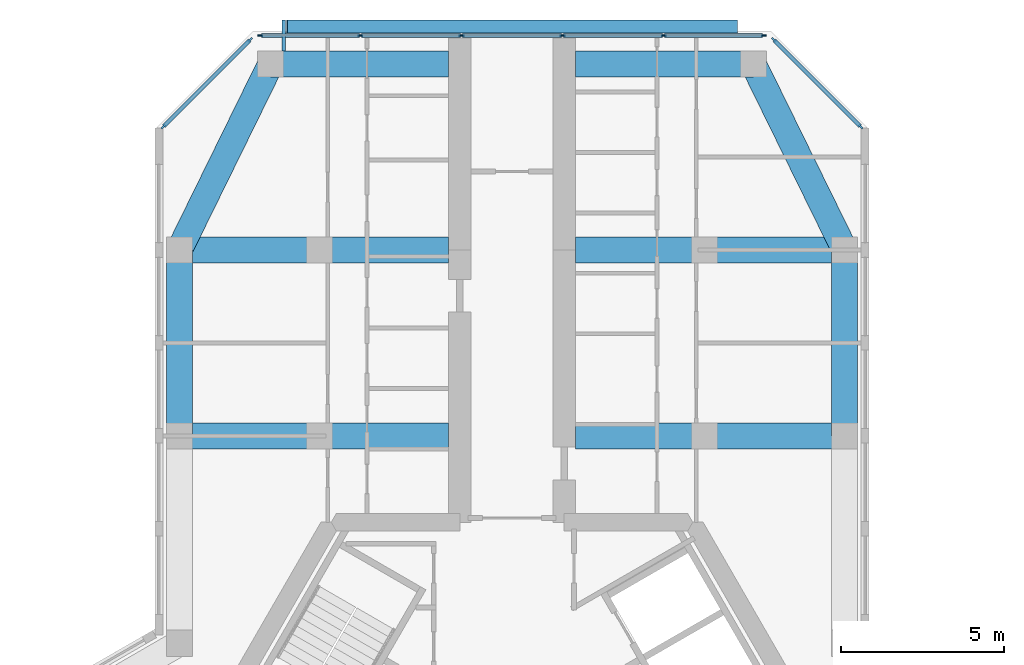
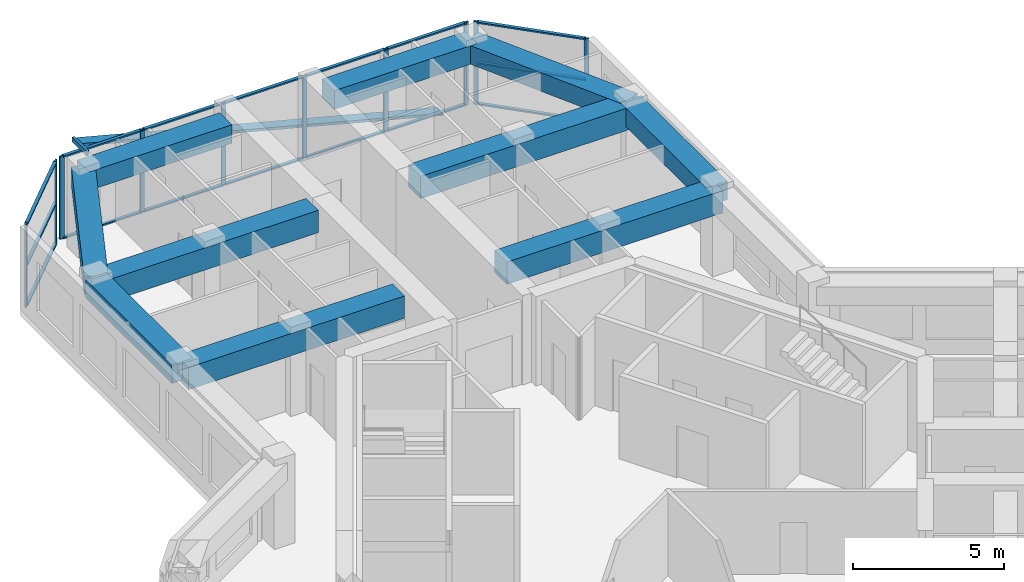
# One storey, part 5 of 14: 28 members, 10 beams, 3 elements without a shape of their own.
"""IFC4 building model written with IfcOpenShell, lengths in metres."""

from ifc_helpers import new_model, si_unit, direction, frame, origin, origin_2d, place, context, subcontext, project, spatial, rectangle, hollow_rectangle, extrude, material, material_profile, profile_set, type_object, element, aggregate, save


model = new_model("IFC4")

# Units and contexts
model_context = context("Model", 3, precision=1e-05, world=origin(), true_north=direction((0.0, 1.0)))
body_context = subcontext(model_context, "Body", "Model", "MODEL_VIEW")
ifc_project = project(units=[si_unit("LENGTHUNIT", "METRE"), si_unit("AREAUNIT", "SQUARE_METRE"), si_unit("VOLUMEUNIT", "CUBIC_METRE"), si_unit("PLANEANGLEUNIT", "RADIAN"), si_unit("MASSUNIT", "GRAM", prefix="KILO")], contexts=[model_context])

# Site, building, storey
site_placement = place(None, origin())
site = spatial("IfcSite", under=ifc_project, at=site_placement, CompositionType="ELEMENT")
building_placement = place(site_placement, origin())
building = spatial("IfcBuilding", under=site, at=building_placement, Name="Kosmar Iwan School Tower", CompositionType="ELEMENT")
storey_placement = place(building_placement, frame((0.0, 0.0, 278.199951171875)))
storey = spatial("IfcBuildingStorey", under=building, at=storey_placement, Name="L70", CompositionType="ELEMENT", Elevation=278.199951171875)

# Members
ifc_material_1 = material(Name="Black anodised aluminium", Category="aluminium")
ifc_material_profile_1 = material_profile(ifc_material_1, rectangle(XDim=0.10009765625, YDim=0.39990234375, at=origin_2d()), Name="FIN 100x400")
ifc_profile_set_1 = profile_set([ifc_material_profile_1], Name="Black anodised aluminium")
member_type_1 = type_object("IfcMemberType", Name="Diagonal fin 100x400", PredefinedType="USERDEFINED", material=ifc_profile_set_1)
member_1_placement = place(storey_placement, frame((6.898193359375, 24.800048828125, -0.14990234375), z_axis=(-0.967603633438, 0.0, 0.252474174041), x_axis=(0.252474174041, 0.0, 0.967603633438)))
element("IfcMember", 1, at=member_1_placement, inside=storey, type_object=member_type_1, Name="Diagonal fin L70-F08", ObjectType="FIN", PredefinedType="USERDEFINED", context=body_context, shape_type="SweptSolid", body=[
    extrude(rectangle(XDim=0.10009765625, YDim=0.39990234375, at=origin_2d()), origin(), (0.0, 0.0, 1.0), 14.25830078125),
])
ifc_material_2 = material(Name="Steel S355", Category="steel")
ifc_material_profile_2 = material_profile(ifc_material_2, hollow_rectangle(XDim=0.10009765625, YDim=0.199951171875, WallThickness=0.008056640625, at=origin_2d()), Name="RHS 200x100x8")
ifc_profile_set_2 = profile_set([ifc_material_profile_2], Name="Steel S355")
member_type_2 = type_object("IfcMemberType", Name="Fin bracket RHS 200x100", PredefinedType="USERDEFINED", material=ifc_profile_set_2)
member_2_placement = place(storey_placement, frame((-7.0, 24.050048828125, 3.47509765625), z_axis=(0.0, 1.0, 0.0), x_axis=(-1.0, 0.0, 0.0)))
element("IfcMember", 2, at=member_2_placement, inside=storey, type_object=member_type_2, Name="Fin bracket L71", ObjectType="FIN BRACKET", PredefinedType="USERDEFINED", context=body_context, shape_type="SweptSolid", body=[
    extrude(hollow_rectangle(XDim=0.10009765625, YDim=0.199951171875, WallThickness=0.008056640625, at=origin_2d()), origin(), (0.0, 0.0, 1.0), 0.949951171875),
])

# Curtain wall, members
ifc_material_3 = material(Name="Dark glass in black aluminium frame", Category="aluminium")
curtain_wall_type_1 = type_object("IfcCurtainWallType", Name="Chamfer curtain wall dark glass", PredefinedType="USERDEFINED", material=ifc_material_3)
curtain_wall_1_placement = place(storey_placement, origin())
curtain_wall_1 = element("IfcCurtainWall", 3, at=curtain_wall_1_placement, inside=storey, type_object=curtain_wall_type_1, Name="Curtain wall L70-F07", ObjectType="FACETED CURTAIN WALL", PredefinedType="USERDEFINED")
ifc_material_4 = material(Name="Black anodised aluminium", Category="aluminium")
ifc_material_profile_3 = material_profile(ifc_material_4, rectangle(XDim=0.06005859375, YDim=0.159912109375, at=origin_2d()), Name="MULLION 60x160")
ifc_profile_set_3 = profile_set([ifc_material_profile_3], Name="Black anodised aluminium")
member_type_3 = type_object("IfcMemberType", Name="Mullion 60x160", PredefinedType="MULLION", material=ifc_profile_set_3)
member_3_placement = place(storey_placement, frame((10.69775390625, 21.7255859375, 0.0), z_axis=(0.0, 0.0, 1.0), x_axis=(-0.707106781187, -0.707106781187, 0.0)))
member_3 = element("IfcMember", 4, at=member_3_placement, type_object=member_type_3, Name="CW2 mullion 1", PredefinedType="MULLION", context=body_context, shape_type="SweptSolid", body=[
    extrude(rectangle(XDim=0.06005859375, YDim=0.159912109375, at=origin_2d()), origin(), (0.0, 0.0, 1.0), 3.35009765625),
])
member_4_placement = place(storey_placement, frame((8.025390625, 24.397705078125, 0.0), z_axis=(0.0, 0.0, 1.0), x_axis=(-0.707106781187, -0.707106781187, 0.0)))
member_4 = element("IfcMember", 5, at=member_4_placement, type_object=member_type_3, Name="CW2 mullion 2", PredefinedType="MULLION", context=body_context, shape_type="SweptSolid", body=[
    extrude(rectangle(XDim=0.06005859375, YDim=0.159912109375, at=origin_2d()), origin(), (0.0, 0.0, 1.0), 3.35009765625),
])

ifc_material_5 = material(Name="Dark glass in black aluminium frame", Category="aluminium")
curtain_wall_type_2 = type_object("IfcCurtainWallType", Name="Tower curtain wall dark glass", PredefinedType="USERDEFINED", material=ifc_material_5)
curtain_wall_2_placement = place(storey_placement, origin())
curtain_wall_2 = element("IfcCurtainWall", 6, at=curtain_wall_2_placement, inside=storey, type_object=curtain_wall_type_2, Name="Curtain wall L70-F08", ObjectType="UNITISED CURTAIN WALL", PredefinedType="USERDEFINED")
member_5_placement = place(storey_placement, frame((7.71826171875, 24.52490234375, 0.0), z_axis=(0.0, 0.0, 1.0), x_axis=(0.0, -1.0, 0.0)))
member_5 = element("IfcMember", 7, at=member_5_placement, type_object=member_type_3, Name="CW1 mullion 1", PredefinedType="MULLION", context=body_context, shape_type="SweptSolid", body=[
    extrude(rectangle(XDim=0.06005859375, YDim=0.159912109375, at=origin_2d()), origin(), (0.0, 0.0, 1.0), 3.35009765625),
])
member_6_placement = place(storey_placement, frame((4.64892578125, 24.52490234375, 0.0), z_axis=(0.0, 0.0, 1.0), x_axis=(0.0, -1.0, 0.0)))
member_6 = element("IfcMember", 8, at=member_6_placement, type_object=member_type_3, Name="CW1 mullion 2", PredefinedType="MULLION", context=body_context, shape_type="SweptSolid", body=[
    extrude(rectangle(XDim=0.06005859375, YDim=0.159912109375, at=origin_2d()), origin(), (0.0, 0.0, 1.0), 3.35009765625),
])
member_7_placement = place(storey_placement, frame((1.549560546875, 24.52490234375, 0.0), z_axis=(0.0, 0.0, 1.0), x_axis=(0.0, -1.0, 0.0)))
member_7 = element("IfcMember", 9, at=member_7_placement, type_object=member_type_3, Name="CW1 mullion 3", PredefinedType="MULLION", context=body_context, shape_type="SweptSolid", body=[
    extrude(rectangle(XDim=0.06005859375, YDim=0.159912109375, at=origin_2d()), origin(), (0.0, 0.0, 1.0), 3.35009765625),
])
member_8_placement = place(storey_placement, frame((-1.549560546875, 24.52490234375, 0.0), z_axis=(0.0, 0.0, 1.0), x_axis=(0.0, -1.0, 0.0)))
member_8 = element("IfcMember", 10, at=member_8_placement, type_object=member_type_3, Name="CW1 mullion 4", PredefinedType="MULLION", context=body_context, shape_type="SweptSolid", body=[
    extrude(rectangle(XDim=0.06005859375, YDim=0.159912109375, at=origin_2d()), origin(), (0.0, 0.0, 1.0), 3.35009765625),
])
member_9_placement = place(storey_placement, frame((-4.64892578125, 24.52490234375, 0.0), z_axis=(0.0, 0.0, 1.0), x_axis=(0.0, -1.0, 0.0)))
member_9 = element("IfcMember", 11, at=member_9_placement, type_object=member_type_3, Name="CW1 mullion 5", PredefinedType="MULLION", context=body_context, shape_type="SweptSolid", body=[
    extrude(rectangle(XDim=0.06005859375, YDim=0.159912109375, at=origin_2d()), origin(), (0.0, 0.0, 1.0), 3.35009765625),
])
member_10_placement = place(storey_placement, frame((-7.71826171875, 24.52490234375, 0.0), z_axis=(0.0, 0.0, 1.0), x_axis=(0.0, -1.0, 0.0)))
member_10 = element("IfcMember", 12, at=member_10_placement, type_object=member_type_3, Name="CW1 mullion 6", PredefinedType="MULLION", context=body_context, shape_type="SweptSolid", body=[
    extrude(rectangle(XDim=0.06005859375, YDim=0.159912109375, at=origin_2d()), origin(), (0.0, 0.0, 1.0), 3.35009765625),
])

curtain_wall_3_placement = place(storey_placement, origin())
curtain_wall_3 = element("IfcCurtainWall", 13, at=curtain_wall_3_placement, inside=storey, type_object=curtain_wall_type_1, Name="Curtain wall L70-F09", ObjectType="FACETED CURTAIN WALL", PredefinedType="USERDEFINED")
member_11_placement = place(storey_placement, frame((-8.025390625, 24.397705078125, 0.0), z_axis=(0.0, 0.0, 1.0), x_axis=(0.707106781187, -0.707106781187, 0.0)))
member_11 = element("IfcMember", 14, at=member_11_placement, type_object=member_type_3, Name="CW2 mullion 1", PredefinedType="MULLION", context=body_context, shape_type="SweptSolid", body=[
    extrude(rectangle(XDim=0.06005859375, YDim=0.159912109375, at=origin_2d()), origin(), (0.0, 0.0, 1.0), 3.35009765625),
])
member_12_placement = place(storey_placement, frame((-10.69775390625, 21.7255859375, 0.0), z_axis=(0.0, 0.0, 1.0), x_axis=(0.707106781187, -0.707106781187, 0.0)))
member_12 = element("IfcMember", 15, at=member_12_placement, type_object=member_type_3, Name="CW2 mullion 2", PredefinedType="MULLION", context=body_context, shape_type="SweptSolid", body=[
    extrude(rectangle(XDim=0.06005859375, YDim=0.159912109375, at=origin_2d()), origin(), (0.0, 0.0, 1.0), 3.35009765625),
])

# Beams
ifc_material_6 = material(Name="Concrete C50/60", Category="concrete")
ifc_material_profile_4 = material_profile(ifc_material_6, rectangle(XDim=0.800048828125, YDim=0.75, at=origin_2d()), Name="RC 800x750")
ifc_profile_set_4 = profile_set([ifc_material_profile_4], Name="Concrete C50/60")
beam_type_1 = type_object("IfcBeamType", Name="RC edge beam 800x750", PredefinedType="BEAM", material=ifc_profile_set_4)
for number, where, z_axis, x_axis, name in (
    (16, (-10.199951171875, 12.25, 2.97509765625), (0.0, 1.0, 0.0), (-1.0, 0.0, 0.0), "Edge beam AL2"),
    (17, (10.199951171875, 12.25, 2.97509765625), (0.0, 1.0, 0.0), (-1.0, 0.0, 0.0), "Edge beam AR2"),
):
    element("IfcBeam", number, at=place(storey_placement, frame(where, z_axis=z_axis, x_axis=x_axis)), inside=storey, type_object=beam_type_1, Name=name, PredefinedType="BEAM", context=body_context, shape_type="SweptSolid", body=[
        extrude(rectangle(XDim=0.800048828125, YDim=0.75, at=origin_2d()), origin(), (0.0, 0.0, 1.0), 5.699951171875),
    ])
ifc_material_7 = material(Name="Concrete C50/60", Category="concrete")
ifc_material_profile_5 = material_profile(ifc_material_7, rectangle(XDim=0.800048828125, YDim=0.75, at=origin_2d()), Name="RC 800x750")
ifc_profile_set_5 = profile_set([ifc_material_profile_5], Name="Concrete C50/60")
beam_type_2 = type_object("IfcBeamType", Name="RC tip beam 800x750", PredefinedType="BEAM", material=ifc_profile_set_5)
beam_1_placement = place(storey_placement, frame((-10.199951171875, 17.949951171875, 2.97509765625), z_axis=(0.440913116462, 0.897549788999, 0.0), x_axis=(-0.897549788999, 0.440913116462, 0.0)))
element("IfcBeam", 18, at=beam_1_placement, inside=storey, type_object=beam_type_2, Name="Tip beam AL", PredefinedType="BEAM", context=body_context, shape_type="SweptSolid", body=[
    extrude(rectangle(XDim=0.800048828125, YDim=0.75, at=origin_2d()), origin(), (0.0, 0.0, 1.0), 6.3505859375),
])
beam_2_placement = place(storey_placement, frame((-7.39990234375, 23.64990234375, 2.97509765625), z_axis=(1.0, 0.0, 0.0), x_axis=(0.0, 1.0, 0.0)))
element("IfcBeam", 19, at=beam_2_placement, inside=storey, type_object=beam_type_2, Name="Tip beam AL to corridor wall", PredefinedType="BEAM", context=body_context, shape_type="SweptSolid", body=[
    extrude(rectangle(XDim=0.800048828125, YDim=0.75, at=origin_2d()), origin(), (0.0, 0.0, 1.0), 5.449951171875),
])
beam_3_placement = place(storey_placement, frame((10.199951171875, 17.949951171875, 2.97509765625), z_axis=(-0.440913116462, 0.897549788999, 0.0), x_axis=(-0.897549788999, -0.440913116462, 0.0)))
element("IfcBeam", 20, at=beam_3_placement, inside=storey, type_object=beam_type_2, Name="Tip beam AR", PredefinedType="BEAM", context=body_context, shape_type="SweptSolid", body=[
    extrude(rectangle(XDim=0.800048828125, YDim=0.75, at=origin_2d()), origin(), (0.0, 0.0, 1.0), 6.3505859375),
])
beam_4_placement = place(storey_placement, frame((7.39990234375, 23.64990234375, 2.97509765625), z_axis=(-1.0, 0.0, 0.0), x_axis=(0.0, -1.0, 0.0)))
element("IfcBeam", 21, at=beam_4_placement, inside=storey, type_object=beam_type_2, Name="Tip beam AR to corridor wall", PredefinedType="BEAM", context=body_context, shape_type="SweptSolid", body=[
    extrude(rectangle(XDim=0.800048828125, YDim=0.75, at=origin_2d()), origin(), (0.0, 0.0, 1.0), 5.449951171875),
])
ifc_material_8 = material(Name="Concrete C50/60", Category="concrete")
ifc_material_profile_6 = material_profile(ifc_material_8, rectangle(XDim=0.800048828125, YDim=0.89990234375, at=origin_2d()), Name="RC 800x900")
ifc_profile_set_6 = profile_set([ifc_material_profile_6], Name="Concrete C50/60")
beam_type_3 = type_object("IfcBeamType", Name="RC transverse beam 800x900", PredefinedType="BEAM", material=ifc_profile_set_6)
for number, where, z_axis, x_axis, name in (
    (22, (-10.199951171875, 12.25, 2.900146484375), (1.0, 0.0, 0.0), (0.0, 1.0, 0.0), "Transverse beam AL1"),
    (23, (-10.199951171875, 17.949951171875, 2.900146484375), (1.0, 0.0, 0.0), (0.0, 1.0, 0.0), "Transverse beam AL2"),
    (24, (10.199951171875, 12.25, 2.900146484375), (-1.0, 0.0, 0.0), (0.0, -1.0, 0.0), "Transverse beam AR1"),
    (25, (10.199951171875, 17.949951171875, 2.900146484375), (-1.0, 0.0, 0.0), (0.0, -1.0, 0.0), "Transverse beam AR2"),
):
    element("IfcBeam", number, at=place(storey_placement, frame(where, z_axis=z_axis, x_axis=x_axis)), inside=storey, type_object=beam_type_3, Name=name, PredefinedType="BEAM", context=body_context, shape_type="SweptSolid", body=[
        extrude(rectangle(XDim=0.800048828125, YDim=0.89990234375, at=origin_2d()), origin(), (0.0, 0.0, 1.0), 8.25),
    ])

# Member
ifc_material_9 = material(Name="Black anodised aluminium", Category="aluminium")
ifc_material_profile_7 = material_profile(ifc_material_9, rectangle(XDim=0.1201171875, YDim=0.06005859375, at=origin_2d()), Name="TRANSOM 60x120")
ifc_profile_set_7 = profile_set([ifc_material_profile_7], Name="Black anodised aluminium")
member_type_4 = type_object("IfcMemberType", Name="Transom 60x120", PredefinedType="USERDEFINED", material=ifc_profile_set_7)
member_13_placement = place(storey_placement, frame((10.676513671875, 21.746826171875, 0.030029296875), z_axis=(-0.707139603466, 0.707073957383, 0.0), x_axis=(-0.707073957383, -0.707139603466, 0.0)))
member_13 = element("IfcMember", 26, at=member_13_placement, type_object=member_type_4, Name="CW2 transom 1.1", ObjectType="TRANSOM", PredefinedType="USERDEFINED", context=body_context, shape_type="SweptSolid", body=[
    extrude(rectangle(XDim=0.1201171875, YDim=0.06005859375, at=origin_2d()), origin(), (0.0, 0.0, 1.0), 3.718994140625),
])

member_14_placement = place(storey_placement, frame((10.676513671875, 21.746826171875, 1.675048828125), z_axis=(-0.707139603466, 0.707073957383, 0.0), x_axis=(-0.707073957383, -0.707139603466, 0.0)))
member_14 = element("IfcMember", 27, at=member_14_placement, type_object=member_type_4, Name="CW2 transom 1.2", ObjectType="TRANSOM", PredefinedType="USERDEFINED", context=body_context, shape_type="SweptSolid", body=[
    extrude(rectangle(XDim=0.1201171875, YDim=0.06005859375, at=origin_2d()), origin(), (0.0, 0.0, 1.0), 3.718994140625),
])

member_15_placement = place(storey_placement, frame((10.676513671875, 21.746826171875, 3.320068359375), z_axis=(-0.707139603466, 0.707073957383, 0.0), x_axis=(-0.707073957383, -0.707139603466, 0.0)))
member_15 = element("IfcMember", 28, at=member_15_placement, type_object=member_type_4, Name="CW2 transom 1.3", ObjectType="TRANSOM", PredefinedType="USERDEFINED", context=body_context, shape_type="SweptSolid", body=[
    extrude(rectangle(XDim=0.1201171875, YDim=0.06005859375, at=origin_2d()), origin(), (0.0, 0.0, 1.0), 3.718994140625),
])

aggregate(curtain_wall_1, [member_3, member_4, member_13, member_14, member_15])

member_16_placement = place(storey_placement, frame((7.688232421875, 24.52490234375, 0.030029296875), z_axis=(-1.0, 0.0, 0.0), x_axis=(0.0, -1.0, 0.0)))
member_16 = element("IfcMember", 29, at=member_16_placement, type_object=member_type_4, Name="CW1 transom 1.1", ObjectType="TRANSOM", PredefinedType="USERDEFINED", context=body_context, shape_type="SweptSolid", body=[
    extrude(rectangle(XDim=0.1201171875, YDim=0.06005859375, at=origin_2d()), origin(), (0.0, 0.0, 1.0), 3.00927734375),
])

member_17_placement = place(storey_placement, frame((7.688232421875, 24.52490234375, 3.320068359375), z_axis=(-1.0, 0.0, 0.0), x_axis=(0.0, -1.0, 0.0)))
member_17 = element("IfcMember", 30, at=member_17_placement, type_object=member_type_4, Name="CW1 transom 1.2", ObjectType="TRANSOM", PredefinedType="USERDEFINED", context=body_context, shape_type="SweptSolid", body=[
    extrude(rectangle(XDim=0.1201171875, YDim=0.06005859375, at=origin_2d()), origin(), (0.0, 0.0, 1.0), 3.00927734375),
])

member_18_placement = place(storey_placement, frame((4.618896484375, 24.52490234375, 0.030029296875), z_axis=(-1.0, 0.0, 0.0), x_axis=(0.0, -1.0, 0.0)))
member_18 = element("IfcMember", 31, at=member_18_placement, type_object=member_type_4, Name="CW1 transom 2.1", ObjectType="TRANSOM", PredefinedType="USERDEFINED", context=body_context, shape_type="SweptSolid", body=[
    extrude(rectangle(XDim=0.1201171875, YDim=0.06005859375, at=origin_2d()), origin(), (0.0, 0.0, 1.0), 3.039306640625),
])

member_19_placement = place(storey_placement, frame((4.618896484375, 24.52490234375, 3.320068359375), z_axis=(-1.0, 0.0, 0.0), x_axis=(0.0, -1.0, 0.0)))
member_19 = element("IfcMember", 32, at=member_19_placement, type_object=member_type_4, Name="CW1 transom 2.2", ObjectType="TRANSOM", PredefinedType="USERDEFINED", context=body_context, shape_type="SweptSolid", body=[
    extrude(rectangle(XDim=0.1201171875, YDim=0.06005859375, at=origin_2d()), origin(), (0.0, 0.0, 1.0), 3.039306640625),
])

member_20_placement = place(storey_placement, frame((1.51953125, 24.52490234375, 0.030029296875), z_axis=(-1.0, 0.0, 0.0), x_axis=(0.0, -1.0, 0.0)))
member_20 = element("IfcMember", 33, at=member_20_placement, type_object=member_type_4, Name="CW1 transom 3.1", ObjectType="TRANSOM", PredefinedType="USERDEFINED", context=body_context, shape_type="SweptSolid", body=[
    extrude(rectangle(XDim=0.1201171875, YDim=0.06005859375, at=origin_2d()), origin(), (0.0, 0.0, 1.0), 3.0390625),
])

member_21_placement = place(storey_placement, frame((1.51953125, 24.52490234375, 3.320068359375), z_axis=(-1.0, 0.0, 0.0), x_axis=(0.0, -1.0, 0.0)))
member_21 = element("IfcMember", 34, at=member_21_placement, type_object=member_type_4, Name="CW1 transom 3.2", ObjectType="TRANSOM", PredefinedType="USERDEFINED", context=body_context, shape_type="SweptSolid", body=[
    extrude(rectangle(XDim=0.1201171875, YDim=0.06005859375, at=origin_2d()), origin(), (0.0, 0.0, 1.0), 3.0390625),
])

member_22_placement = place(storey_placement, frame((-1.57958984375, 24.52490234375, 0.030029296875), z_axis=(-1.0, 0.0, 0.0), x_axis=(0.0, -1.0, 0.0)))
member_22 = element("IfcMember", 35, at=member_22_placement, type_object=member_type_4, Name="CW1 transom 4.1", ObjectType="TRANSOM", PredefinedType="USERDEFINED", context=body_context, shape_type="SweptSolid", body=[
    extrude(rectangle(XDim=0.1201171875, YDim=0.06005859375, at=origin_2d()), origin(), (0.0, 0.0, 1.0), 3.039306640625),
])

member_23_placement = place(storey_placement, frame((-1.57958984375, 24.52490234375, 3.320068359375), z_axis=(-1.0, 0.0, 0.0), x_axis=(0.0, -1.0, 0.0)))
member_23 = element("IfcMember", 36, at=member_23_placement, type_object=member_type_4, Name="CW1 transom 4.2", ObjectType="TRANSOM", PredefinedType="USERDEFINED", context=body_context, shape_type="SweptSolid", body=[
    extrude(rectangle(XDim=0.1201171875, YDim=0.06005859375, at=origin_2d()), origin(), (0.0, 0.0, 1.0), 3.039306640625),
])

member_24_placement = place(storey_placement, frame((-4.678955078125, 24.52490234375, 0.030029296875), z_axis=(-1.0, 0.0, 0.0), x_axis=(0.0, -1.0, 0.0)))
member_24 = element("IfcMember", 37, at=member_24_placement, type_object=member_type_4, Name="CW1 transom 5.1", ObjectType="TRANSOM", PredefinedType="USERDEFINED", context=body_context, shape_type="SweptSolid", body=[
    extrude(rectangle(XDim=0.1201171875, YDim=0.06005859375, at=origin_2d()), origin(), (0.0, 0.0, 1.0), 3.00927734375),
])

member_25_placement = place(storey_placement, frame((-4.678955078125, 24.52490234375, 3.320068359375), z_axis=(-1.0, 0.0, 0.0), x_axis=(0.0, -1.0, 0.0)))
member_25 = element("IfcMember", 38, at=member_25_placement, type_object=member_type_4, Name="CW1 transom 5.2", ObjectType="TRANSOM", PredefinedType="USERDEFINED", context=body_context, shape_type="SweptSolid", body=[
    extrude(rectangle(XDim=0.1201171875, YDim=0.06005859375, at=origin_2d()), origin(), (0.0, 0.0, 1.0), 3.00927734375),
])

aggregate(curtain_wall_2, [member_5, member_6, member_7, member_8, member_9, member_10, member_16, member_17, member_18, member_19, member_20, member_21, member_22, member_23, member_24, member_25])

member_26_placement = place(storey_placement, frame((-8.046630859375, 24.37646484375, 0.030029296875), z_axis=(-0.707139603466, -0.707073957383, 0.0), x_axis=(0.707073957383, -0.707139603466, 0.0)))
member_26 = element("IfcMember", 39, at=member_26_placement, type_object=member_type_4, Name="CW2 transom 1.1", ObjectType="TRANSOM", PredefinedType="USERDEFINED", context=body_context, shape_type="SweptSolid", body=[
    extrude(rectangle(XDim=0.1201171875, YDim=0.06005859375, at=origin_2d()), origin(), (0.0, 0.0, 1.0), 3.718994140625),
])

member_27_placement = place(storey_placement, frame((-8.046630859375, 24.37646484375, 1.675048828125), z_axis=(-0.707139603466, -0.707073957383, 0.0), x_axis=(0.707073957383, -0.707139603466, 0.0)))
member_27 = element("IfcMember", 40, at=member_27_placement, type_object=member_type_4, Name="CW2 transom 1.2", ObjectType="TRANSOM", PredefinedType="USERDEFINED", context=body_context, shape_type="SweptSolid", body=[
    extrude(rectangle(XDim=0.1201171875, YDim=0.06005859375, at=origin_2d()), origin(), (0.0, 0.0, 1.0), 3.718994140625),
])

member_28_placement = place(storey_placement, frame((-8.046630859375, 24.37646484375, 3.320068359375), z_axis=(-0.707139603466, -0.707073957383, 0.0), x_axis=(0.707073957383, -0.707139603466, 0.0)))
member_28 = element("IfcMember", 41, at=member_28_placement, type_object=member_type_4, Name="CW2 transom 1.3", ObjectType="TRANSOM", PredefinedType="USERDEFINED", context=body_context, shape_type="SweptSolid", body=[
    extrude(rectangle(XDim=0.1201171875, YDim=0.06005859375, at=origin_2d()), origin(), (0.0, 0.0, 1.0), 3.718994140625),
])

aggregate(curtain_wall_3, [member_11, member_12, member_26, member_27, member_28])

save(model, "model.ifc")
